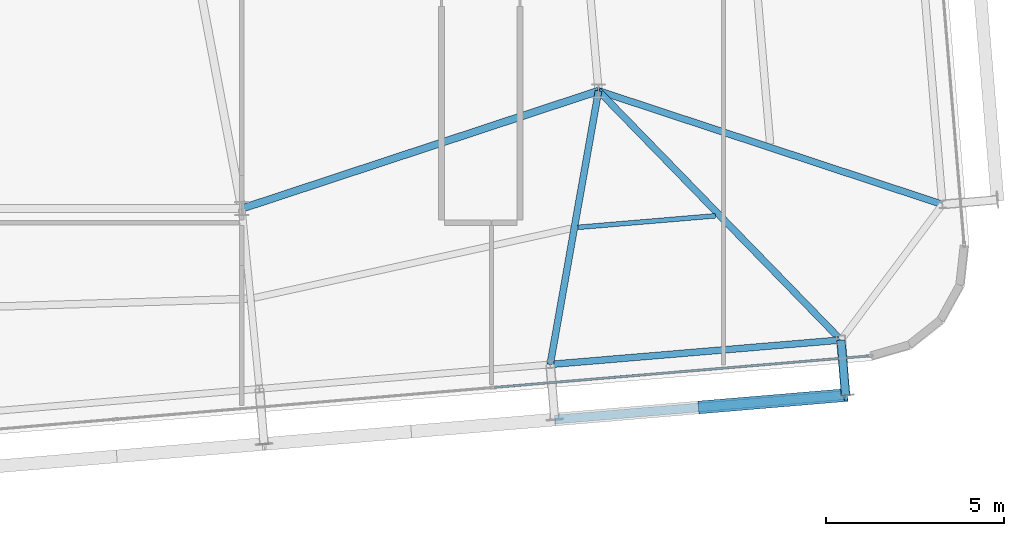
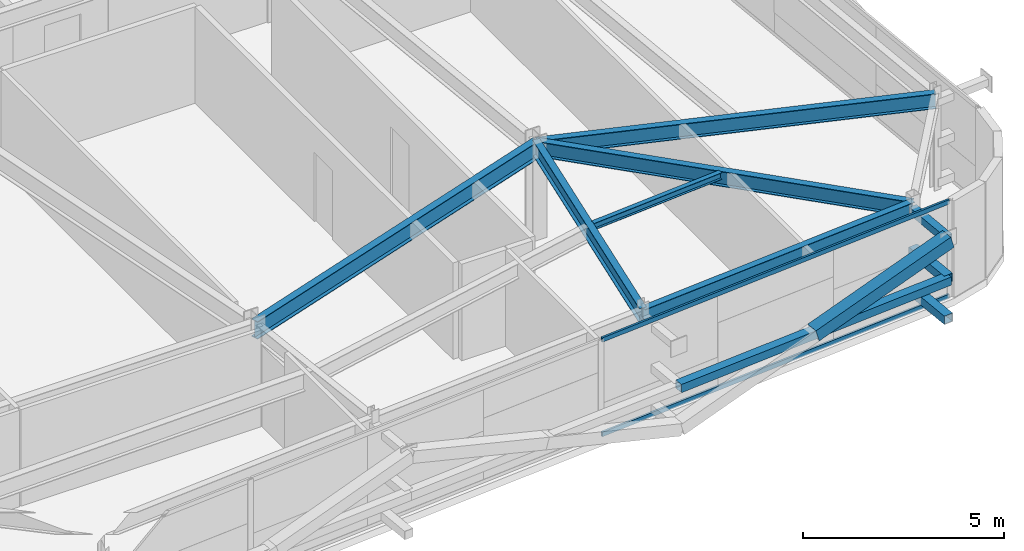
# One storey, part 17 of 37: 7 members, 6 beams, 1 element without a shape of its own.
"""IFC4 building model written with IfcOpenShell, lengths in metres."""

from ifc_helpers import new_model, si_unit, direction, frame, origin, origin_2d, place, context, subcontext, project, spatial, hollow_rectangle, i_section, extrude, source, transform, mapped, material, layer, layer_set, material_profile, profile_set, type_object, element, aggregate, save


model = new_model("IFC4")

# Units and contexts
model_context = context("Model", 3, precision=1e-05, world=origin(), true_north=direction((0.0, 1.0)))
body_context = subcontext(model_context, "Body", "Model", "MODEL_VIEW")
ifc_project = project(units=[si_unit("LENGTHUNIT", "METRE"), si_unit("AREAUNIT", "SQUARE_METRE"), si_unit("VOLUMEUNIT", "CUBIC_METRE"), si_unit("PLANEANGLEUNIT", "RADIAN"), si_unit("MASSUNIT", "GRAM", prefix="KILO")], contexts=[model_context])

# Site, building, storey
site_placement = place(None, origin())
site = spatial("IfcSite", under=ifc_project, at=site_placement, CompositionType="ELEMENT")
building_placement = place(site_placement, origin())
building = spatial("IfcBuilding", under=site, at=building_placement, Name="Taldren Reach Tower", CompositionType="ELEMENT")
storey_placement = place(building_placement, frame((0.0, 0.0, 172.550048828125)))
storey = spatial("IfcBuildingStorey", under=building, at=storey_placement, Name="L52", CompositionType="ELEMENT", Elevation=172.550048828125)

# Beam
ifc_material_1 = material(Name="Steel Gr 350 (350PLUS)", Category="steel")
ifc_material_profile_1 = material_profile(ifc_material_1, i_section(OverallWidth=0.208984375, OverallDepth=0.532958984375, WebThickness=0.01025390625, FlangeThickness=0.015625, at=origin_2d()), Name="530UB92.4")
ifc_profile_set_1 = profile_set([ifc_material_profile_1], Name="Steel Gr 350 (350PLUS)")
beam_type_1 = type_object("IfcBeamType", Name="BM-UB530A", PredefinedType="BEAM", material=ifc_profile_set_1)
shared_shape_1 = source(origin(), body_context, "Body", "SweptSolid", [
    extrude(i_section(OverallWidth=0.208984375, OverallDepth=0.532958984375, WebThickness=0.01025390625, FlangeThickness=0.015625, at=origin_2d()), origin(), (0.0, 0.0, 1.0), 10.530517578125),
])
beam_1_placement = place(storey_placement, frame((42.0, 9.199951171875, 2.663330078125), z_axis=(0.949627269203, 0.313381635689, 0.0), x_axis=(-0.313381635689, 0.949627269203, 0.0)))
element("IfcBeam", 1, at=beam_1_placement, inside=storey, type_object=beam_type_1, Name="Core-spine girder L52-SP12", PredefinedType="BEAM", context=body_context, shape_type="MappedRepresentation", body=[
    mapped(shared_shape_1, transform((0.0, 0.0, 0.0), scale=1.0)),
])

# Members
ifc_material_2 = material(Name="Steel Gr 350 (C350L0)", Category="steel")
ifc_material_profile_2 = material_profile(ifc_material_2, hollow_rectangle(XDim=0.25, YDim=0.25, WallThickness=0.010009765625, at=origin_2d()), Name="250x250x10.0SHS")
ifc_profile_set_2 = profile_set([ifc_material_profile_2], Name="Steel Gr 350 (C350L0)")
member_type_1 = type_object("IfcMemberType", Name="MB-POST250", PredefinedType="POST", material=ifc_profile_set_2)
shared_shape_2 = source(origin(), body_context, "Body", "SweptSolid", [
    extrude(hollow_rectangle(XDim=0.25, YDim=0.25, WallThickness=0.010009765625, at=origin_2d()), origin(), (0.0, 0.0, 1.0), 1.5498046875),
])
for number, where, z_axis, x_axis, name in (
    (2, (58.796142578125, 5.516357421875, 0.219970703125), (0.083801560254, -0.996482462715, 0.0), (0.996482462715, 0.083801560254, 0.0), "Exoskeleton base diaphragm tie strut B4-S6 L52"),
    (3, (58.796142578125, 5.516357421875, 1.43505859375), (0.083801560254, -0.996482462715, 0.0), (0.996482462715, 0.083801560254, 0.0), "Exoskeleton mid-tier diaphragm tie B4-S6 L52"),
):
    element("IfcMember", number, at=place(storey_placement, frame(where, z_axis=z_axis, x_axis=x_axis)), inside=storey, type_object=member_type_1, Name=name, PredefinedType="POST", context=body_context, shape_type="MappedRepresentation", body=[
        mapped(shared_shape_2, transform((0.0, 0.0, 0.0), scale=1.0)),
    ])

# Beams
ifc_material_profile_3 = material_profile(ifc_material_1, i_section(OverallWidth=0.18994140625, OverallDepth=0.4541015625, WebThickness=0.008544921875, FlangeThickness=0.0126953125, at=origin_2d()), Name="460UB67.1")
ifc_profile_set_3 = profile_set([ifc_material_profile_3], Name="Steel Gr 350 (350PLUS)")
beam_type_2 = type_object("IfcBeamType", Name="SP-UB460B", PredefinedType="SPANDREL", material=ifc_profile_set_3)
shared_shape_3 = source(origin(), body_context, "Body", "SweptSolid", [
    extrude(i_section(OverallWidth=0.18994140625, OverallDepth=0.4541015625, WebThickness=0.008544921875, FlangeThickness=0.0126953125, at=origin_2d()), origin(), (0.0, 0.0, 1.0), 8.179931640625),
])
beam_2_placement = place(storey_placement, frame((50.644775390625, 4.83203125, 2.702880859375), z_axis=(0.996494523218, 0.083658025296, 0.0), x_axis=(-0.083658025296, 0.996494523218, 0.0)))
element("IfcBeam", 4, at=beam_2_placement, inside=storey, type_object=beam_type_2, Name="Perimeter spandrel B4 S5-S6 L52", PredefinedType="SPANDREL", context=body_context, shape_type="MappedRepresentation", body=[
    mapped(shared_shape_3, transform((0.0, 0.0, 0.0), scale=1.0)),
])
ifc_material_profile_4 = material_profile(ifc_material_1, i_section(OverallWidth=0.19091796875, OverallDepth=0.4599609375, WebThickness=0.010009765625, FlangeThickness=0.01611328125, at=origin_2d()), Name="460UB82.1")
ifc_profile_set_4 = profile_set([ifc_material_profile_4], Name="Steel Gr 350 (350PLUS)")
beam_type_3 = type_object("IfcBeamType", Name="BM-UB460A", PredefinedType="BEAM", material=ifc_profile_set_4)
shared_shape_4 = source(origin(), body_context, "Body", "SweptSolid", [
    extrude(i_section(OverallWidth=0.19091796875, OverallDepth=0.4599609375, WebThickness=0.010009765625, FlangeThickness=0.01611328125, at=origin_2d()), origin(), (0.0, 0.0, 1.0), 7.786865234375),
])
beam_3_placement = place(storey_placement, frame((52.0, 12.5, 2.699951171875), z_axis=(-0.174041097858, -0.984738389755, 0.0), x_axis=(0.984738389755, -0.174041097858, 0.0)))
element("IfcBeam", 5, at=beam_3_placement, inside=storey, type_object=beam_type_3, Name="Primary floor girder B4-S5 L52", PredefinedType="BEAM", context=body_context, shape_type="MappedRepresentation", body=[
    mapped(shared_shape_4, transform((0.0, 0.0, 0.0), scale=1.0)),
])
shared_shape_5 = source(origin(), body_context, "Body", "SweptSolid", [
    extrude(i_section(OverallWidth=0.19091796875, OverallDepth=0.4599609375, WebThickness=0.010009765625, FlangeThickness=0.01611328125, at=origin_2d()), origin(), (0.0, 0.0, 1.0), 9.74462890625),
])
beam_4_placement = place(storey_placement, frame((52.0, 12.5, 2.699951171875), z_axis=(0.697420698235, -0.716661963323, 0.0), x_axis=(0.716661963323, 0.697420698235, 0.0)))
element("IfcBeam", 6, at=beam_4_placement, inside=storey, type_object=beam_type_3, Name="Primary floor girder B4-S6 L52", PredefinedType="BEAM", context=body_context, shape_type="MappedRepresentation", body=[
    mapped(shared_shape_5, transform((0.0, 0.0, 0.0), scale=1.0)),
])
shared_shape_6 = source(origin(), body_context, "Body", "SweptSolid", [
    extrude(i_section(OverallWidth=0.19091796875, OverallDepth=0.4599609375, WebThickness=0.010009765625, FlangeThickness=0.01611328125, at=origin_2d()), origin(), (0.0, 0.0, 1.0), 10.14990234375),
])
beam_5_placement = place(storey_placement, frame((52.0, 12.5, 2.699951171875), z_axis=(0.949576668396, -0.313534927619, 0.0), x_axis=(0.313534927619, 0.949576668396, 0.0)))
element("IfcBeam", 7, at=beam_5_placement, inside=storey, type_object=beam_type_3, Name="Primary floor girder B4-E1 L52", PredefinedType="BEAM", context=body_context, shape_type="MappedRepresentation", body=[
    mapped(shared_shape_6, transform((0.0, 0.0, 0.0), scale=1.0)),
])
ifc_material_3 = material(Name="Steel Gr 300 (300PLUS, 300 MPa)", Category="steel")
ifc_material_profile_5 = material_profile(ifc_material_3, i_section(OverallWidth=0.134033203125, OverallDepth=0.20703125, WebThickness=0.00634765625, FlangeThickness=0.009521484375, at=origin_2d()), Name="200UB29.8")
ifc_profile_set_5 = profile_set([ifc_material_profile_5], Name="Steel Gr 300 (300PLUS, 300 MPa)")
beam_type_4 = type_object("IfcBeamType", Name="JS-UB200", PredefinedType="JOIST", material=ifc_profile_set_5)
shared_shape_7 = source(origin(), body_context, "Body", "SweptSolid", [
    extrude(i_section(OverallWidth=0.134033203125, OverallDepth=0.20703125, WebThickness=0.00634765625, FlangeThickness=0.009521484375, at=origin_2d()), origin(), (0.0, 0.0, 1.0), 3.86767578125),
])
beam_6_placement = place(storey_placement, frame((51.4208984375, 8.67431640625, 2.826416015625), z_axis=(0.996495950743, 0.083641019557, 0.0), x_axis=(-0.083641019557, 0.996495950743, 0.0)))
element("IfcBeam", 8, at=beam_6_placement, inside=storey, type_object=beam_type_4, Name="Secondary floor joist B4 J5 L52", PredefinedType="JOIST", context=body_context, shape_type="MappedRepresentation", body=[
    mapped(shared_shape_7, transform((0.0, 0.0, 0.0), scale=1.0)),
])

# Members
ifc_material_4 = material(Name="Steel Gr 450 (C450L0)", Category="steel")
ifc_material_profile_6 = material_profile(ifc_material_4, hollow_rectangle(XDim=0.219970703125, YDim=0.219970703125, WallThickness=0.00830078125, at=origin_2d()), Name="220x220x8.2SHS")
ifc_profile_set_6 = profile_set([ifc_material_profile_6], Name="Steel Gr 450 (C450L0)")
member_type_2 = type_object("IfcMemberType", Name="MB-TIE219", PredefinedType="STRUT", material=ifc_profile_set_6)
shared_shape_8 = source(origin(), body_context, "Body", "SweptSolid", [
    extrude(hollow_rectangle(XDim=0.219970703125, YDim=0.219970703125, WallThickness=0.00830078125, at=origin_2d()), origin(), (0.0, 0.0, 1.0), 1.5498046875),
])
member_1_placement = place(storey_placement, frame((58.796142578125, 5.516357421875, 2.64990234375), z_axis=(0.083801560254, -0.996482462715, 0.0), x_axis=(0.996482462715, 0.083801560254, 0.0)))
element("IfcMember", 9, at=member_1_placement, inside=storey, type_object=member_type_2, Name="Exoskeleton diaphragm tie strut B4-S6 L52", PredefinedType="STRUT", context=body_context, shape_type="MappedRepresentation", body=[
    mapped(shared_shape_8, transform((0.0, 0.0, 0.0), scale=1.0)),
])
shared_shape_9 = source(origin(), body_context, "Body", "SweptSolid", [
    extrude(hollow_rectangle(XDim=0.25, YDim=0.25, WallThickness=0.010009765625, at=origin_2d()), origin(), (0.0, 0.0, 1.0), 8.18017578125),
])
member_2_placement = place(storey_placement, frame((50.774658203125, 3.287353515625, 1.43505859375), z_axis=(0.996492034688, 0.083687662192, 0.0), x_axis=(-0.083687662192, 0.996492034688, 0.0)))
element("IfcMember", 10, at=member_2_placement, inside=storey, type_object=member_type_1, Name="Exoskeleton mid-height ring chord B4-S5 L52", PredefinedType="POST", context=body_context, shape_type="MappedRepresentation", body=[
    mapped(shared_shape_9, transform((0.0, 0.0, 0.0), scale=1.0)),
])
ifc_material_profile_7 = material_profile(ifc_material_4, hollow_rectangle(XDim=0.360107421875, YDim=0.360107421875, WallThickness=0.0126953125, at=origin_2d()), Name="360x360x12.7SHS")
ifc_profile_set_7 = profile_set([ifc_material_profile_7], Name="Steel Gr 450 (C450L0)")
member_type_3 = type_object("IfcMemberType", Name="MB-EXO356", PredefinedType="BRACE", material=ifc_profile_set_7)
shared_shape_10 = source(origin(), body_context, "Body", "SweptSolid", [
    extrude(hollow_rectangle(XDim=0.360107421875, YDim=0.360107421875, WallThickness=0.0126953125, at=origin_2d()), origin(), (0.0, 0.0, 1.0), 4.2666015625),
])
member_3_placement = place(storey_placement, frame((54.850341796875, 3.629638671875, 1.43505859375), z_axis=(0.955244723646, 0.080223619417, 0.284730906006), x_axis=(-0.083687662192, 0.996492034688, 0.0)))
element("IfcMember", 11, at=member_3_placement, inside=storey, type_object=member_type_3, Name="Exoskeleton Diagrid Brace B4-S5 L52", PredefinedType="BRACE", context=body_context, shape_type="MappedRepresentation", body=[
    mapped(shared_shape_10, transform((0.0, 0.0, 0.0), scale=1.0)),
])

# Curtain wall, members
ifc_material_5 = material(Name="Aluminium and Low-E Glass Unitised System", Category="aluminium")
ifc_layer = layer(ifc_material_5, 0.159912109375)
ifc_layer_set = layer_set([ifc_layer], Name="Aluminium and Low-E Glass Unitised System")
curtain_wall_type = type_object("IfcCurtainWallType", Name="CW-SYS-5", PredefinedType="NOTDEFINED", material=ifc_layer_set)
curtain_wall_placement = place(storey_placement, origin())
curtain_wall = element("IfcCurtainWall", 12, at=curtain_wall_placement, inside=storey, type_object=curtain_wall_type, Name="Unitised curtain wall CW-L52-S", PredefinedType="NOTDEFINED")
ifc_material_6 = material(Name="Anodised Aluminium 6063-T6", Category="aluminium")
ifc_material_profile_8 = material_profile(ifc_material_6, hollow_rectangle(XDim=0.06005859375, YDim=0.135009765625, WallThickness=0.00341796875, at=origin_2d()), Name="ALU-135x60x3.5RHS")
ifc_profile_set_8 = profile_set([ifc_material_profile_8], Name="Anodised Aluminium 6063-T6")
member_type_4 = type_object("IfcMemberType", Name="CW-TRN-150", PredefinedType="USERDEFINED", material=ifc_profile_set_8)
shared_shape_11 = source(origin(), body_context, "Body", "SweptSolid", [
    extrude(hollow_rectangle(XDim=0.06005859375, YDim=0.135009765625, WallThickness=0.00341796875, at=origin_2d()), origin(), (0.0, 0.0, 1.0), 10.52001953125),
])
member_4_placement = place(storey_placement, frame((49.083251953125, 4.18896484375, 0.030029296875), z_axis=(0.996492256575, 0.08368502008, 0.0), x_axis=(-0.08368502008, 0.996492256575, 0.0)))
member_4 = element("IfcMember", 13, at=member_4_placement, type_object=member_type_4, Name="CW-5 transom 4.1", ObjectType="TRANSOM", PredefinedType="USERDEFINED", context=body_context, shape_type="MappedRepresentation", body=[
    mapped(shared_shape_11, transform((0.0, 0.0, 0.0), scale=1.0)),
])
member_5_placement = place(storey_placement, frame((49.083251953125, 4.18896484375, 2.89990234375), z_axis=(0.996492256575, 0.08368502008, 0.0), x_axis=(-0.08368502008, 0.996492256575, 0.0)))
member_5 = element("IfcMember", 14, at=member_5_placement, type_object=member_type_4, Name="CW-5 transom 4.2", ObjectType="TRANSOM", PredefinedType="USERDEFINED", context=body_context, shape_type="MappedRepresentation", body=[
    mapped(shared_shape_11, transform((0.0, 0.0, 0.0), scale=1.0)),
])
aggregate(curtain_wall, [member_4, member_5])

save(model, "model.ifc")
